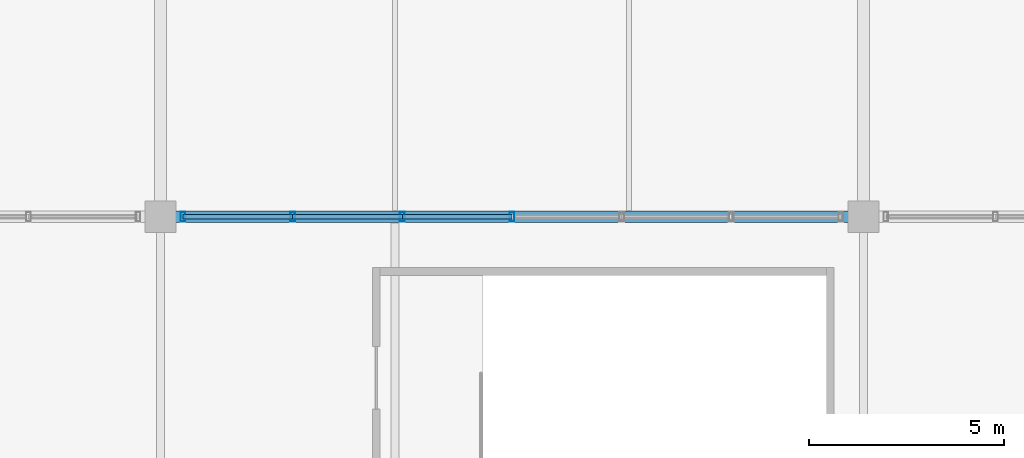
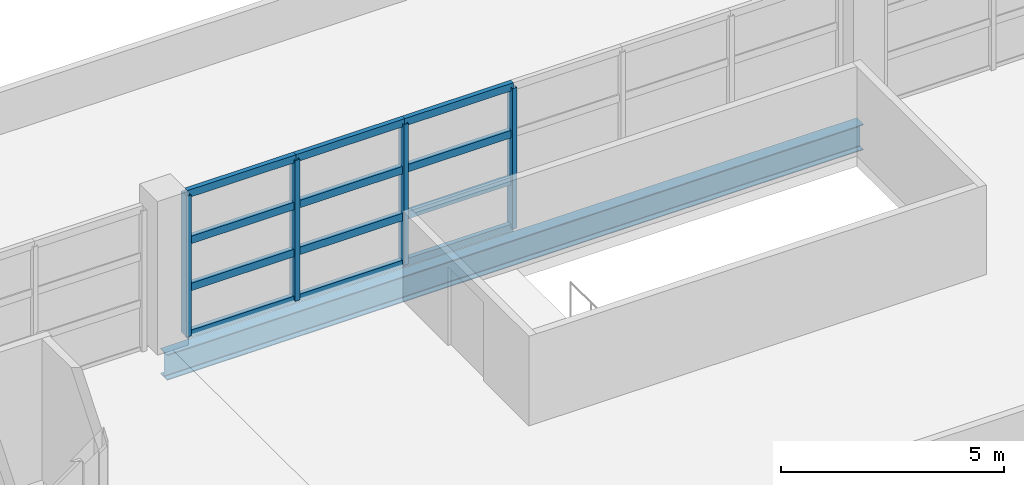
# One storey, part 38 of 136: 16 members, 1 beam, 1 element without a shape of its own.
"""IFC4 building model written with IfcOpenShell, lengths in metres."""

from ifc_helpers import new_model, si_unit, direction, frame, origin, origin_2d, place, context, subcontext, project, spatial, hollow_rectangle, i_section, extrude, material, material_profile, profile_set, type_object, element, aggregate, save


model = new_model("IFC4")

# Units and contexts
model_context = context("Model", 3, precision=1e-05, world=origin(), true_north=direction((0.0, 1.0)))
body_context = subcontext(model_context, "Body", "Model", "MODEL_VIEW")
ifc_project = project(units=[si_unit("LENGTHUNIT", "METRE"), si_unit("AREAUNIT", "SQUARE_METRE"), si_unit("VOLUMEUNIT", "CUBIC_METRE"), si_unit("PLANEANGLEUNIT", "RADIAN"), si_unit("MASSUNIT", "GRAM", prefix="KILO")], contexts=[model_context])

# Site, building, storey
site_placement = place(None, origin())
site = spatial("IfcSite", under=ifc_project, at=site_placement, CompositionType="ELEMENT")
building_placement = place(site_placement, origin())
building = spatial("IfcBuilding", under=site, at=building_placement, Name="Chuanluo Vaults Station", CompositionType="ELEMENT")
storey_placement = place(building_placement, frame((0.0, 0.0, 6.60009765625)))
storey = spatial("IfcBuildingStorey", under=building, at=storey_placement, Name="L01", CompositionType="ELEMENT", Elevation=6.60009765625)

# Beam
ifc_material_1 = material(Name="Steel Q355C", Category="steel")
ifc_material_profile_1 = material_profile(ifc_material_1, i_section(OverallWidth=0.300048828125, OverallDepth=0.699951171875, WebThickness=0.012939453125, FlangeThickness=0.02392578125, FilletRadius=0.02197265625, at=origin_2d()))
ifc_profile_set_1 = profile_set([ifc_material_profile_1], Name="Steel Q355C")
beam_type = type_object("IfcBeamType", Name="BM-GRD-700", PredefinedType="USERDEFINED", material=ifc_profile_set_1)
beam_placement = place(storey_placement, frame((54.0, 117.0, -0.630126953125), z_axis=(1.0, 0.0, 0.0), x_axis=(0.0, 1.0, 0.0)))
element("IfcBeam", 1, at=beam_placement, inside=storey, type_object=beam_type, Name="Floor girder BM:GX:L01:0380", ObjectType="GIRDER", PredefinedType="USERDEFINED", context=body_context, shape_type="SweptSolid", body=[
    extrude(i_section(OverallWidth=0.300048828125, OverallDepth=0.699951171875, WebThickness=0.012939453125, FlangeThickness=0.02392578125, FilletRadius=0.02197265625, at=origin_2d()), origin(), (0.0, 0.0, 1.0), 18.0),
])

# Curtain wall, members
ifc_material_2 = material(Name="Anodised aluminium 6063-T6", Category="aluminium")
curtain_wall_type = type_object("IfcCurtainWallType", Name="CW-SYS-15", PredefinedType="NOTDEFINED", material=ifc_material_2)
curtain_wall_placement = place(storey_placement, origin())
curtain_wall = element("IfcCurtainWall", 2, at=curtain_wall_placement, inside=storey, type_object=curtain_wall_type, Name="Over-track V4 north facade CW", PredefinedType="NOTDEFINED")
ifc_material_3 = material(Name="Anodised aluminium 6063-T6", Category="aluminium")
ifc_material_profile_2 = material_profile(ifc_material_3, hollow_rectangle(XDim=0.1201171875, YDim=0.25, WallThickness=0.006103515625, at=origin_2d()))
ifc_profile_set_2 = profile_set([ifc_material_profile_2], Name="Anodised aluminium 6063-T6")
member_type_1 = type_object("IfcMemberType", Name="CWM-160", PredefinedType="MULLION", material=ifc_profile_set_2)
member_1_placement = place(storey_placement, frame((54.574951171875, 117.0, 0.0), z_axis=(0.0, 0.0, 1.0), x_axis=(1.0, 0.0, 0.0)))
member_1 = element("IfcMember", 3, at=member_1_placement, type_object=member_type_1, Name="Over-track V4 north facade CW mullion 1", PredefinedType="MULLION", context=body_context, shape_type="SweptSolid", body=[
    extrude(hollow_rectangle(XDim=0.1201171875, YDim=0.25, WallThickness=0.006103515625, at=origin_2d()), origin(), (0.0, 0.0, 1.0), 3.849853515625),
])
member_2_placement = place(storey_placement, frame((57.38330078125, 117.0, 0.0), z_axis=(0.0, 0.0, 1.0), x_axis=(1.0, 0.0, 0.0)))
member_2 = element("IfcMember", 4, at=member_2_placement, type_object=member_type_1, Name="Over-track V4 north facade CW mullion 2", PredefinedType="MULLION", context=body_context, shape_type="SweptSolid", body=[
    extrude(hollow_rectangle(XDim=0.1201171875, YDim=0.25, WallThickness=0.006103515625, at=origin_2d()), origin(), (0.0, 0.0, 1.0), 3.849853515625),
])
member_3_placement = place(storey_placement, frame((60.191650390625, 117.0, 0.0), z_axis=(0.0, 0.0, 1.0), x_axis=(1.0, 0.0, 0.0)))
member_3 = element("IfcMember", 5, at=member_3_placement, type_object=member_type_1, Name="Over-track V4 north facade CW mullion 3", PredefinedType="MULLION", context=body_context, shape_type="SweptSolid", body=[
    extrude(hollow_rectangle(XDim=0.1201171875, YDim=0.25, WallThickness=0.006103515625, at=origin_2d()), origin(), (0.0, 0.0, 1.0), 3.849853515625),
])
member_4_placement = place(storey_placement, frame((63.0, 117.0, 0.0), z_axis=(0.0, 0.0, 1.0), x_axis=(1.0, 0.0, 0.0)))
member_4 = element("IfcMember", 6, at=member_4_placement, type_object=member_type_1, Name="Over-track V4 north facade CW mullion 4", PredefinedType="MULLION", context=body_context, shape_type="SweptSolid", body=[
    extrude(hollow_rectangle(XDim=0.1201171875, YDim=0.25, WallThickness=0.006103515625, at=origin_2d()), origin(), (0.0, 0.0, 1.0), 3.849853515625),
])
ifc_material_4 = material(Name="Anodised aluminium 6063-T6", Category="aluminium")
ifc_material_profile_3 = material_profile(ifc_material_4, hollow_rectangle(XDim=0.1201171875, YDim=0.205078125, WallThickness=0.006103515625, at=origin_2d()))
ifc_profile_set_3 = profile_set([ifc_material_profile_3], Name="Anodised aluminium 6063-T6")
member_type_2 = type_object("IfcMemberType", Name="CWT-130", PredefinedType="USERDEFINED", material=ifc_profile_set_3)
member_5_placement = place(storey_placement, frame((54.574951171875, 117.0, 0.0), z_axis=(1.0, 0.0, 0.0), x_axis=(0.0, 1.0, 0.0)))
member_5 = element("IfcMember", 7, at=member_5_placement, type_object=member_type_2, Name="Over-track V4 north facade CW transom 1.1", ObjectType="TRANSOM", PredefinedType="USERDEFINED", context=body_context, shape_type="SweptSolid", body=[
    extrude(hollow_rectangle(XDim=0.1201171875, YDim=0.205078125, WallThickness=0.006103515625, at=origin_2d()), origin(), (0.0, 0.0, 1.0), 2.808349609375),
])
member_6_placement = place(storey_placement, frame((54.574951171875, 117.0, 1.283203125), z_axis=(1.0, 0.0, 0.0), x_axis=(0.0, 1.0, 0.0)))
member_6 = element("IfcMember", 8, at=member_6_placement, type_object=member_type_2, Name="Over-track V4 north facade CW transom 1.2", ObjectType="TRANSOM", PredefinedType="USERDEFINED", context=body_context, shape_type="SweptSolid", body=[
    extrude(hollow_rectangle(XDim=0.1201171875, YDim=0.205078125, WallThickness=0.006103515625, at=origin_2d()), origin(), (0.0, 0.0, 1.0), 2.808349609375),
])
member_7_placement = place(storey_placement, frame((54.574951171875, 117.0, 2.566650390625), z_axis=(1.0, 0.0, 0.0), x_axis=(0.0, 1.0, 0.0)))
member_7 = element("IfcMember", 9, at=member_7_placement, type_object=member_type_2, Name="Over-track V4 north facade CW transom 1.3", ObjectType="TRANSOM", PredefinedType="USERDEFINED", context=body_context, shape_type="SweptSolid", body=[
    extrude(hollow_rectangle(XDim=0.1201171875, YDim=0.205078125, WallThickness=0.006103515625, at=origin_2d()), origin(), (0.0, 0.0, 1.0), 2.808349609375),
])
member_8_placement = place(storey_placement, frame((54.574951171875, 117.0, 3.849853515625), z_axis=(1.0, 0.0, 0.0), x_axis=(0.0, 1.0, 0.0)))
member_8 = element("IfcMember", 10, at=member_8_placement, type_object=member_type_2, Name="Over-track V4 north facade CW transom 1.4", ObjectType="TRANSOM", PredefinedType="USERDEFINED", context=body_context, shape_type="SweptSolid", body=[
    extrude(hollow_rectangle(XDim=0.1201171875, YDim=0.205078125, WallThickness=0.006103515625, at=origin_2d()), origin(), (0.0, 0.0, 1.0), 2.808349609375),
])
member_9_placement = place(storey_placement, frame((57.38330078125, 117.0, 0.0), z_axis=(1.0, 0.0, 0.0), x_axis=(0.0, 1.0, 0.0)))
member_9 = element("IfcMember", 11, at=member_9_placement, type_object=member_type_2, Name="Over-track V4 north facade CW transom 2.1", ObjectType="TRANSOM", PredefinedType="USERDEFINED", context=body_context, shape_type="SweptSolid", body=[
    extrude(hollow_rectangle(XDim=0.1201171875, YDim=0.205078125, WallThickness=0.006103515625, at=origin_2d()), origin(), (0.0, 0.0, 1.0), 2.808349609375),
])
member_10_placement = place(storey_placement, frame((57.38330078125, 117.0, 1.283203125), z_axis=(1.0, 0.0, 0.0), x_axis=(0.0, 1.0, 0.0)))
member_10 = element("IfcMember", 12, at=member_10_placement, type_object=member_type_2, Name="Over-track V4 north facade CW transom 2.2", ObjectType="TRANSOM", PredefinedType="USERDEFINED", context=body_context, shape_type="SweptSolid", body=[
    extrude(hollow_rectangle(XDim=0.1201171875, YDim=0.205078125, WallThickness=0.006103515625, at=origin_2d()), origin(), (0.0, 0.0, 1.0), 2.808349609375),
])
member_11_placement = place(storey_placement, frame((57.38330078125, 117.0, 2.566650390625), z_axis=(1.0, 0.0, 0.0), x_axis=(0.0, 1.0, 0.0)))
member_11 = element("IfcMember", 13, at=member_11_placement, type_object=member_type_2, Name="Over-track V4 north facade CW transom 2.3", ObjectType="TRANSOM", PredefinedType="USERDEFINED", context=body_context, shape_type="SweptSolid", body=[
    extrude(hollow_rectangle(XDim=0.1201171875, YDim=0.205078125, WallThickness=0.006103515625, at=origin_2d()), origin(), (0.0, 0.0, 1.0), 2.808349609375),
])
member_12_placement = place(storey_placement, frame((57.38330078125, 117.0, 3.849853515625), z_axis=(1.0, 0.0, 0.0), x_axis=(0.0, 1.0, 0.0)))
member_12 = element("IfcMember", 14, at=member_12_placement, type_object=member_type_2, Name="Over-track V4 north facade CW transom 2.4", ObjectType="TRANSOM", PredefinedType="USERDEFINED", context=body_context, shape_type="SweptSolid", body=[
    extrude(hollow_rectangle(XDim=0.1201171875, YDim=0.205078125, WallThickness=0.006103515625, at=origin_2d()), origin(), (0.0, 0.0, 1.0), 2.808349609375),
])
member_13_placement = place(storey_placement, frame((60.191650390625, 117.0, 0.0), z_axis=(1.0, 0.0, 0.0), x_axis=(0.0, 1.0, 0.0)))
member_13 = element("IfcMember", 15, at=member_13_placement, type_object=member_type_2, Name="Over-track V4 north facade CW transom 3.1", ObjectType="TRANSOM", PredefinedType="USERDEFINED", context=body_context, shape_type="SweptSolid", body=[
    extrude(hollow_rectangle(XDim=0.1201171875, YDim=0.205078125, WallThickness=0.006103515625, at=origin_2d()), origin(), (0.0, 0.0, 1.0), 2.808349609375),
])
member_14_placement = place(storey_placement, frame((60.191650390625, 117.0, 1.283203125), z_axis=(1.0, 0.0, 0.0), x_axis=(0.0, 1.0, 0.0)))
member_14 = element("IfcMember", 16, at=member_14_placement, type_object=member_type_2, Name="Over-track V4 north facade CW transom 3.2", ObjectType="TRANSOM", PredefinedType="USERDEFINED", context=body_context, shape_type="SweptSolid", body=[
    extrude(hollow_rectangle(XDim=0.1201171875, YDim=0.205078125, WallThickness=0.006103515625, at=origin_2d()), origin(), (0.0, 0.0, 1.0), 2.808349609375),
])
member_15_placement = place(storey_placement, frame((60.191650390625, 117.0, 2.566650390625), z_axis=(1.0, 0.0, 0.0), x_axis=(0.0, 1.0, 0.0)))
member_15 = element("IfcMember", 17, at=member_15_placement, type_object=member_type_2, Name="Over-track V4 north facade CW transom 3.3", ObjectType="TRANSOM", PredefinedType="USERDEFINED", context=body_context, shape_type="SweptSolid", body=[
    extrude(hollow_rectangle(XDim=0.1201171875, YDim=0.205078125, WallThickness=0.006103515625, at=origin_2d()), origin(), (0.0, 0.0, 1.0), 2.808349609375),
])
member_16_placement = place(storey_placement, frame((60.191650390625, 117.0, 3.849853515625), z_axis=(1.0, 0.0, 0.0), x_axis=(0.0, 1.0, 0.0)))
member_16 = element("IfcMember", 18, at=member_16_placement, type_object=member_type_2, Name="Over-track V4 north facade CW transom 3.4", ObjectType="TRANSOM", PredefinedType="USERDEFINED", context=body_context, shape_type="SweptSolid", body=[
    extrude(hollow_rectangle(XDim=0.1201171875, YDim=0.205078125, WallThickness=0.006103515625, at=origin_2d()), origin(), (0.0, 0.0, 1.0), 2.808349609375),
])
aggregate(curtain_wall, [member_1, member_2, member_3, member_4, member_5, member_6, member_7, member_8, member_9, member_10, member_11, member_12, member_13, member_14, member_15, member_16])

save(model, "model.ifc")
